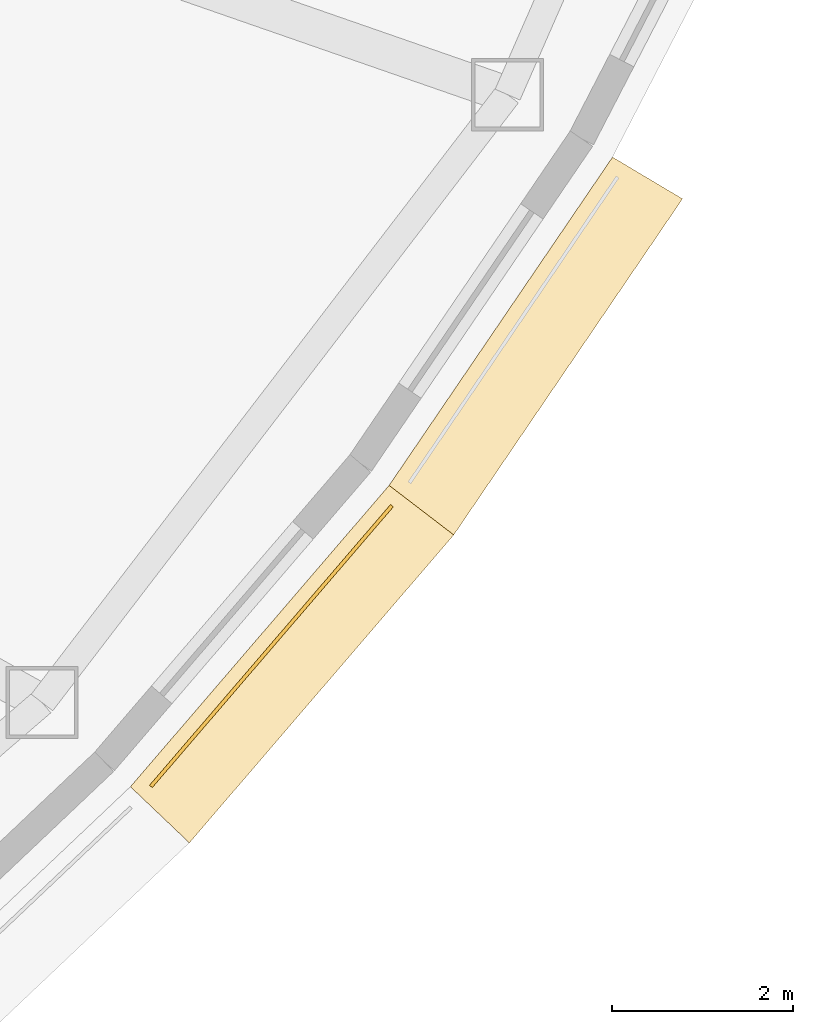
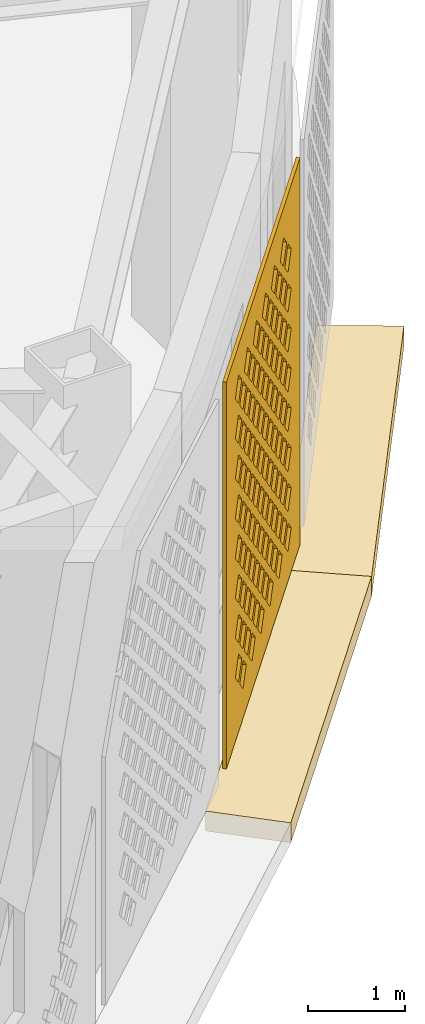
# One storey, part 60 of 63: 3 coverings.
"""IFC4 building model written with IfcOpenShell, lengths in metres."""

from ifc_helpers import new_model, si_unit, direction, frame, origin, place, context, subcontext, project, spatial, polyline, outline, extrude, material, layer, layer_set, type_object, element, save


model = new_model("IFC4")

# Units and contexts
model_context = context("Model", 3, precision=1e-05, world=origin(), true_north=direction((0.0, 1.0)))
body_context = subcontext(model_context, "Body", "Model", "MODEL_VIEW")
ifc_project = project(units=[si_unit("LENGTHUNIT", "METRE"), si_unit("AREAUNIT", "SQUARE_METRE"), si_unit("VOLUMEUNIT", "CUBIC_METRE"), si_unit("PLANEANGLEUNIT", "RADIAN"), si_unit("MASSUNIT", "GRAM", prefix="KILO")], contexts=[model_context])

# Site, building, storey
site_placement = place(None, origin())
site = spatial("IfcSite", under=ifc_project, at=site_placement, CompositionType="ELEMENT")
building_placement = place(site_placement, origin())
building = spatial("IfcBuilding", under=site, at=building_placement, Name="Noorbagh Ring Tower", CompositionType="ELEMENT")
storey_placement = place(building_placement, frame((0.0, 0.0, 25.0)))
storey = spatial("IfcBuildingStorey", under=building, at=storey_placement, Name="L04", CompositionType="ELEMENT", Elevation=25.0)

# Coverings
ifc_material_1 = material(Name="Red sandstone eave", Category="masonry")
covering_type_1 = type_object("IfcCoveringType", Name="STY-CHHAJJA", PredefinedType="USERDEFINED", material=ifc_material_1)
covering_1_placement = place(storey_placement, frame((0.0, 0.0, -0.25)))
element("IfcCovering", 1, at=covering_1_placement, inside=storey, type_object=covering_type_1, Name="Chhajja eave", ObjectType="CHHAJJA", PredefinedType="USERDEFINED", context=body_context, shape_type="SweptSolid", body=[
    extrude(outline(polyline([(41.906494140625, -23.682373046875), (44.77001953125, -20.346923828125), (45.485595703125, -20.89501953125), (42.55908203125, -24.3037109375), (41.906494140625, -23.682373046875)])), origin(), (0.0, 0.0, 1.0), 0.25),
])
covering_2_placement = place(storey_placement, frame((0.0, 0.0, -0.25)))
element("IfcCovering", 2, at=covering_2_placement, inside=storey, type_object=covering_type_1, Name="Chhajja eave", ObjectType="CHHAJJA", PredefinedType="USERDEFINED", context=body_context, shape_type="SweptSolid", body=[
    extrude(outline(polyline([(44.77001953125, -20.346923828125), (47.2431640625, -16.71337890625), (48.017578125, -17.175048828125), (45.485595703125, -20.89501953125), (44.77001953125, -20.346923828125)])), origin(), (0.0, 0.0, 1.0), 0.25),
])
ifc_material_2 = material(Name="Red sandstone jali", Category="masonry")
ifc_layer = layer(ifc_material_2, 0.0400390625)
ifc_layer_set = layer_set([ifc_layer], Name="Red sandstone jali")
covering_type_2 = type_object("IfcCoveringType", Name="STY-JALI", PredefinedType="USERDEFINED", material=ifc_layer_set)
covering_3_placement = place(storey_placement, frame((42.1484375, -23.692138671875, 0.449951171875), z_axis=(0.758717747284, -0.651419511495, 0.0), x_axis=(0.651419511495, 0.758717747284, 0.0)))
element("IfcCovering", 3, at=covering_3_placement, inside=storey, type_object=covering_type_2, Name="Jali screen", ObjectType="SCREEN", PredefinedType="USERDEFINED", context=body_context, shape_type="SweptSolid", body=[
    extrude(outline(polyline([(0.0, 0.0), (4.095703125, 0.0), (4.095703125, 4.85009765625), (0.0, 4.85009765625), (0.0, 0.0)]), holes=[polyline([(0.742919921875, 0.550048828125), (0.9228515625, 0.3701171875), (1.102783203125, 0.550048828125), (0.9228515625, 0.72998046875), (0.742919921875, 0.550048828125)]), polyline([(1.242919921875, 0.550048828125), (1.4228515625, 0.3701171875), (1.602783203125, 0.550048828125), (1.4228515625, 0.72998046875), (1.242919921875, 0.550048828125)]), polyline([(1.742919921875, 0.550048828125), (1.9228515625, 0.3701171875), (2.102783203125, 0.550048828125), (1.9228515625, 0.72998046875), (1.742919921875, 0.550048828125)]), polyline([(2.242919921875, 0.550048828125), (2.4228515625, 0.3701171875), (2.602783203125, 0.550048828125), (2.4228515625, 0.72998046875), (2.242919921875, 0.550048828125)]), polyline([(2.742919921875, 0.550048828125), (2.9228515625, 0.3701171875), (3.102783203125, 0.550048828125), (2.9228515625, 0.72998046875), (2.742919921875, 0.550048828125)]), polyline([(3.242919921875, 0.550048828125), (3.4228515625, 0.3701171875), (3.602783203125, 0.550048828125), (3.4228515625, 0.72998046875), (3.242919921875, 0.550048828125)]), polyline([(0.492919921875, 0.800048828125), (0.6728515625, 0.6201171875), (0.852783203125, 0.800048828125), (0.6728515625, 0.97998046875), (0.492919921875, 0.800048828125)]), polyline([(0.992919921875, 0.800048828125), (1.1728515625, 0.6201171875), (1.352783203125, 0.800048828125), (1.1728515625, 0.97998046875), (0.992919921875, 0.800048828125)]), polyline([(1.492919921875, 0.800048828125), (1.6728515625, 0.6201171875), (1.852783203125, 0.800048828125), (1.6728515625, 0.97998046875), (1.492919921875, 0.800048828125)]), polyline([(1.992919921875, 0.800048828125), (2.1728515625, 0.6201171875), (2.352783203125, 0.800048828125), (2.1728515625, 0.97998046875), (1.992919921875, 0.800048828125)]), polyline([(2.492919921875, 0.800048828125), (2.6728515625, 0.6201171875), (2.852783203125, 0.800048828125), (2.6728515625, 0.97998046875), (2.492919921875, 0.800048828125)]), polyline([(2.992919921875, 0.800048828125), (3.1728515625, 0.6201171875), (3.352783203125, 0.800048828125), (3.1728515625, 0.97998046875), (2.992919921875, 0.800048828125)]), polyline([(0.742919921875, 1.050048828125), (0.9228515625, 0.8701171875), (1.102783203125, 1.050048828125), (0.9228515625, 1.22998046875), (0.742919921875, 1.050048828125)]), polyline([(1.242919921875, 1.050048828125), (1.4228515625, 0.8701171875), (1.602783203125, 1.050048828125), (1.4228515625, 1.22998046875), (1.242919921875, 1.050048828125)]), polyline([(1.742919921875, 1.050048828125), (1.9228515625, 0.8701171875), (2.102783203125, 1.050048828125), (1.9228515625, 1.22998046875), (1.742919921875, 1.050048828125)]), polyline([(2.242919921875, 1.050048828125), (2.4228515625, 0.8701171875), (2.602783203125, 1.050048828125), (2.4228515625, 1.22998046875), (2.242919921875, 1.050048828125)]), polyline([(2.742919921875, 1.050048828125), (2.9228515625, 0.8701171875), (3.102783203125, 1.050048828125), (2.9228515625, 1.22998046875), (2.742919921875, 1.050048828125)]), polyline([(3.242919921875, 1.050048828125), (3.4228515625, 0.8701171875), (3.602783203125, 1.050048828125), (3.4228515625, 1.22998046875), (3.242919921875, 1.050048828125)]), polyline([(0.492919921875, 1.300048828125), (0.6728515625, 1.1201171875), (0.852783203125, 1.300048828125), (0.6728515625, 1.47998046875), (0.492919921875, 1.300048828125)]), polyline([(0.992919921875, 1.300048828125), (1.1728515625, 1.1201171875), (1.352783203125, 1.300048828125), (1.1728515625, 1.47998046875), (0.992919921875, 1.300048828125)]), polyline([(1.492919921875, 1.300048828125), (1.6728515625, 1.1201171875), (1.852783203125, 1.300048828125), (1.6728515625, 1.47998046875), (1.492919921875, 1.300048828125)]), polyline([(1.992919921875, 1.300048828125), (2.1728515625, 1.1201171875), (2.352783203125, 1.300048828125), (2.1728515625, 1.47998046875), (1.992919921875, 1.300048828125)]), polyline([(2.492919921875, 1.300048828125), (2.6728515625, 1.1201171875), (2.852783203125, 1.300048828125), (2.6728515625, 1.47998046875), (2.492919921875, 1.300048828125)]), polyline([(2.992919921875, 1.300048828125), (3.1728515625, 1.1201171875), (3.352783203125, 1.300048828125), (3.1728515625, 1.47998046875), (2.992919921875, 1.300048828125)]), polyline([(0.742919921875, 1.550048828125), (0.9228515625, 1.3701171875), (1.102783203125, 1.550048828125), (0.9228515625, 1.72998046875), (0.742919921875, 1.550048828125)]), polyline([(1.242919921875, 1.550048828125), (1.4228515625, 1.3701171875), (1.602783203125, 1.550048828125), (1.4228515625, 1.72998046875), (1.242919921875, 1.550048828125)]), polyline([(1.742919921875, 1.550048828125), (1.9228515625, 1.3701171875), (2.102783203125, 1.550048828125), (1.9228515625, 1.72998046875), (1.742919921875, 1.550048828125)]), polyline([(2.242919921875, 1.550048828125), (2.4228515625, 1.3701171875), (2.602783203125, 1.550048828125), (2.4228515625, 1.72998046875), (2.242919921875, 1.550048828125)]), polyline([(2.742919921875, 1.550048828125), (2.9228515625, 1.3701171875), (3.102783203125, 1.550048828125), (2.9228515625, 1.72998046875), (2.742919921875, 1.550048828125)]), polyline([(3.242919921875, 1.550048828125), (3.4228515625, 1.3701171875), (3.602783203125, 1.550048828125), (3.4228515625, 1.72998046875), (3.242919921875, 1.550048828125)]), polyline([(0.492919921875, 1.800048828125), (0.6728515625, 1.6201171875), (0.852783203125, 1.800048828125), (0.6728515625, 1.97998046875), (0.492919921875, 1.800048828125)]), polyline([(0.992919921875, 1.800048828125), (1.1728515625, 1.6201171875), (1.352783203125, 1.800048828125), (1.1728515625, 1.97998046875), (0.992919921875, 1.800048828125)]), polyline([(1.492919921875, 1.800048828125), (1.6728515625, 1.6201171875), (1.852783203125, 1.800048828125), (1.6728515625, 1.97998046875), (1.492919921875, 1.800048828125)]), polyline([(1.992919921875, 1.800048828125), (2.1728515625, 1.6201171875), (2.352783203125, 1.800048828125), (2.1728515625, 1.97998046875), (1.992919921875, 1.800048828125)]), polyline([(2.492919921875, 1.800048828125), (2.6728515625, 1.6201171875), (2.852783203125, 1.800048828125), (2.6728515625, 1.97998046875), (2.492919921875, 1.800048828125)]), polyline([(2.992919921875, 1.800048828125), (3.1728515625, 1.6201171875), (3.352783203125, 1.800048828125), (3.1728515625, 1.97998046875), (2.992919921875, 1.800048828125)]), polyline([(0.742919921875, 2.050048828125), (0.9228515625, 1.8701171875), (1.102783203125, 2.050048828125), (0.9228515625, 2.22998046875), (0.742919921875, 2.050048828125)]), polyline([(1.242919921875, 2.050048828125), (1.4228515625, 1.8701171875), (1.602783203125, 2.050048828125), (1.4228515625, 2.22998046875), (1.242919921875, 2.050048828125)]), polyline([(1.742919921875, 2.050048828125), (1.9228515625, 1.8701171875), (2.102783203125, 2.050048828125), (1.9228515625, 2.22998046875), (1.742919921875, 2.050048828125)]), polyline([(2.242919921875, 2.050048828125), (2.4228515625, 1.8701171875), (2.602783203125, 2.050048828125), (2.4228515625, 2.22998046875), (2.242919921875, 2.050048828125)]), polyline([(2.742919921875, 2.050048828125), (2.9228515625, 1.8701171875), (3.102783203125, 2.050048828125), (2.9228515625, 2.22998046875), (2.742919921875, 2.050048828125)]), polyline([(3.242919921875, 2.050048828125), (3.4228515625, 1.8701171875), (3.602783203125, 2.050048828125), (3.4228515625, 2.22998046875), (3.242919921875, 2.050048828125)]), polyline([(0.492919921875, 2.300048828125), (0.6728515625, 2.1201171875), (0.852783203125, 2.300048828125), (0.6728515625, 2.47998046875), (0.492919921875, 2.300048828125)]), polyline([(0.992919921875, 2.300048828125), (1.1728515625, 2.1201171875), (1.352783203125, 2.300048828125), (1.1728515625, 2.47998046875), (0.992919921875, 2.300048828125)]), polyline([(1.492919921875, 2.300048828125), (1.6728515625, 2.1201171875), (1.852783203125, 2.300048828125), (1.6728515625, 2.47998046875), (1.492919921875, 2.300048828125)]), polyline([(1.992919921875, 2.300048828125), (2.1728515625, 2.1201171875), (2.352783203125, 2.300048828125), (2.1728515625, 2.47998046875), (1.992919921875, 2.300048828125)]), polyline([(2.492919921875, 2.300048828125), (2.6728515625, 2.1201171875), (2.852783203125, 2.300048828125), (2.6728515625, 2.47998046875), (2.492919921875, 2.300048828125)]), polyline([(2.992919921875, 2.300048828125), (3.1728515625, 2.1201171875), (3.352783203125, 2.300048828125), (3.1728515625, 2.47998046875), (2.992919921875, 2.300048828125)]), polyline([(0.742919921875, 2.550048828125), (0.9228515625, 2.3701171875), (1.102783203125, 2.550048828125), (0.9228515625, 2.72998046875), (0.742919921875, 2.550048828125)]), polyline([(1.242919921875, 2.550048828125), (1.4228515625, 2.3701171875), (1.602783203125, 2.550048828125), (1.4228515625, 2.72998046875), (1.242919921875, 2.550048828125)]), polyline([(1.742919921875, 2.550048828125), (1.9228515625, 2.3701171875), (2.102783203125, 2.550048828125), (1.9228515625, 2.72998046875), (1.742919921875, 2.550048828125)]), polyline([(2.242919921875, 2.550048828125), (2.4228515625, 2.3701171875), (2.602783203125, 2.550048828125), (2.4228515625, 2.72998046875), (2.242919921875, 2.550048828125)]), polyline([(2.742919921875, 2.550048828125), (2.9228515625, 2.3701171875), (3.102783203125, 2.550048828125), (2.9228515625, 2.72998046875), (2.742919921875, 2.550048828125)]), polyline([(3.242919921875, 2.550048828125), (3.4228515625, 2.3701171875), (3.602783203125, 2.550048828125), (3.4228515625, 2.72998046875), (3.242919921875, 2.550048828125)]), polyline([(0.492919921875, 2.800048828125), (0.6728515625, 2.6201171875), (0.852783203125, 2.800048828125), (0.6728515625, 2.97998046875), (0.492919921875, 2.800048828125)]), polyline([(0.992919921875, 2.800048828125), (1.1728515625, 2.6201171875), (1.352783203125, 2.800048828125), (1.1728515625, 2.97998046875), (0.992919921875, 2.800048828125)]), polyline([(1.492919921875, 2.800048828125), (1.6728515625, 2.6201171875), (1.852783203125, 2.800048828125), (1.6728515625, 2.97998046875), (1.492919921875, 2.800048828125)]), polyline([(1.992919921875, 2.800048828125), (2.1728515625, 2.6201171875), (2.352783203125, 2.800048828125), (2.1728515625, 2.97998046875), (1.992919921875, 2.800048828125)]), polyline([(2.492919921875, 2.800048828125), (2.6728515625, 2.6201171875), (2.852783203125, 2.800048828125), (2.6728515625, 2.97998046875), (2.492919921875, 2.800048828125)]), polyline([(2.992919921875, 2.800048828125), (3.1728515625, 2.6201171875), (3.352783203125, 2.800048828125), (3.1728515625, 2.97998046875), (2.992919921875, 2.800048828125)]), polyline([(0.742919921875, 3.050048828125), (0.9228515625, 2.8701171875), (1.102783203125, 3.050048828125), (0.9228515625, 3.22998046875), (0.742919921875, 3.050048828125)]), polyline([(1.242919921875, 3.050048828125), (1.4228515625, 2.8701171875), (1.602783203125, 3.050048828125), (1.4228515625, 3.22998046875), (1.242919921875, 3.050048828125)]), polyline([(1.742919921875, 3.050048828125), (1.9228515625, 2.8701171875), (2.102783203125, 3.050048828125), (1.9228515625, 3.22998046875), (1.742919921875, 3.050048828125)]), polyline([(2.242919921875, 3.050048828125), (2.4228515625, 2.8701171875), (2.602783203125, 3.050048828125), (2.4228515625, 3.22998046875), (2.242919921875, 3.050048828125)]), polyline([(2.742919921875, 3.050048828125), (2.9228515625, 2.8701171875), (3.102783203125, 3.050048828125), (2.9228515625, 3.22998046875), (2.742919921875, 3.050048828125)]), polyline([(3.242919921875, 3.050048828125), (3.4228515625, 2.8701171875), (3.602783203125, 3.050048828125), (3.4228515625, 3.22998046875), (3.242919921875, 3.050048828125)]), polyline([(0.492919921875, 3.300048828125), (0.6728515625, 3.1201171875), (0.852783203125, 3.300048828125), (0.6728515625, 3.47998046875), (0.492919921875, 3.300048828125)]), polyline([(0.992919921875, 3.300048828125), (1.1728515625, 3.1201171875), (1.352783203125, 3.300048828125), (1.1728515625, 3.47998046875), (0.992919921875, 3.300048828125)]), polyline([(1.492919921875, 3.300048828125), (1.6728515625, 3.1201171875), (1.852783203125, 3.300048828125), (1.6728515625, 3.47998046875), (1.492919921875, 3.300048828125)]), polyline([(1.992919921875, 3.300048828125), (2.1728515625, 3.1201171875), (2.352783203125, 3.300048828125), (2.1728515625, 3.47998046875), (1.992919921875, 3.300048828125)]), polyline([(2.492919921875, 3.300048828125), (2.6728515625, 3.1201171875), (2.852783203125, 3.300048828125), (2.6728515625, 3.47998046875), (2.492919921875, 3.300048828125)]), polyline([(2.992919921875, 3.300048828125), (3.1728515625, 3.1201171875), (3.352783203125, 3.300048828125), (3.1728515625, 3.47998046875), (2.992919921875, 3.300048828125)]), polyline([(0.742919921875, 3.550048828125), (0.9228515625, 3.3701171875), (1.102783203125, 3.550048828125), (0.9228515625, 3.72998046875), (0.742919921875, 3.550048828125)]), polyline([(1.242919921875, 3.550048828125), (1.4228515625, 3.3701171875), (1.602783203125, 3.550048828125), (1.4228515625, 3.72998046875), (1.242919921875, 3.550048828125)]), polyline([(1.742919921875, 3.550048828125), (1.9228515625, 3.3701171875), (2.102783203125, 3.550048828125), (1.9228515625, 3.72998046875), (1.742919921875, 3.550048828125)]), polyline([(2.242919921875, 3.550048828125), (2.4228515625, 3.3701171875), (2.602783203125, 3.550048828125), (2.4228515625, 3.72998046875), (2.242919921875, 3.550048828125)]), polyline([(2.742919921875, 3.550048828125), (2.9228515625, 3.3701171875), (3.102783203125, 3.550048828125), (2.9228515625, 3.72998046875), (2.742919921875, 3.550048828125)]), polyline([(3.242919921875, 3.550048828125), (3.4228515625, 3.3701171875), (3.602783203125, 3.550048828125), (3.4228515625, 3.72998046875), (3.242919921875, 3.550048828125)]), polyline([(0.492919921875, 3.800048828125), (0.6728515625, 3.6201171875), (0.852783203125, 3.800048828125), (0.6728515625, 3.97998046875), (0.492919921875, 3.800048828125)]), polyline([(0.992919921875, 3.800048828125), (1.1728515625, 3.6201171875), (1.352783203125, 3.800048828125), (1.1728515625, 3.97998046875), (0.992919921875, 3.800048828125)]), polyline([(1.492919921875, 3.800048828125), (1.6728515625, 3.6201171875), (1.852783203125, 3.800048828125), (1.6728515625, 3.97998046875), (1.492919921875, 3.800048828125)]), polyline([(1.992919921875, 3.800048828125), (2.1728515625, 3.6201171875), (2.352783203125, 3.800048828125), (2.1728515625, 3.97998046875), (1.992919921875, 3.800048828125)]), polyline([(2.492919921875, 3.800048828125), (2.6728515625, 3.6201171875), (2.852783203125, 3.800048828125), (2.6728515625, 3.97998046875), (2.492919921875, 3.800048828125)]), polyline([(2.992919921875, 3.800048828125), (3.1728515625, 3.6201171875), (3.352783203125, 3.800048828125), (3.1728515625, 3.97998046875), (2.992919921875, 3.800048828125)]), polyline([(0.742919921875, 4.050048828125), (0.9228515625, 3.8701171875), (1.102783203125, 4.050048828125), (0.9228515625, 4.22998046875), (0.742919921875, 4.050048828125)]), polyline([(1.242919921875, 4.050048828125), (1.4228515625, 3.8701171875), (1.602783203125, 4.050048828125), (1.4228515625, 4.22998046875), (1.242919921875, 4.050048828125)]), polyline([(1.742919921875, 4.050048828125), (1.9228515625, 3.8701171875), (2.102783203125, 4.050048828125), (1.9228515625, 4.22998046875), (1.742919921875, 4.050048828125)]), polyline([(2.242919921875, 4.050048828125), (2.4228515625, 3.8701171875), (2.602783203125, 4.050048828125), (2.4228515625, 4.22998046875), (2.242919921875, 4.050048828125)]), polyline([(2.742919921875, 4.050048828125), (2.9228515625, 3.8701171875), (3.102783203125, 4.050048828125), (2.9228515625, 4.22998046875), (2.742919921875, 4.050048828125)]), polyline([(3.242919921875, 4.050048828125), (3.4228515625, 3.8701171875), (3.602783203125, 4.050048828125), (3.4228515625, 4.22998046875), (3.242919921875, 4.050048828125)]), polyline([(0.492919921875, 4.300048828125), (0.6728515625, 4.1201171875), (0.852783203125, 4.300048828125), (0.6728515625, 4.47998046875), (0.492919921875, 4.300048828125)]), polyline([(0.992919921875, 4.300048828125), (1.1728515625, 4.1201171875), (1.352783203125, 4.300048828125), (1.1728515625, 4.47998046875), (0.992919921875, 4.300048828125)]), polyline([(1.492919921875, 4.300048828125), (1.6728515625, 4.1201171875), (1.852783203125, 4.300048828125), (1.6728515625, 4.47998046875), (1.492919921875, 4.300048828125)]), polyline([(1.992919921875, 4.300048828125), (2.1728515625, 4.1201171875), (2.352783203125, 4.300048828125), (2.1728515625, 4.47998046875), (1.992919921875, 4.300048828125)]), polyline([(2.492919921875, 4.300048828125), (2.6728515625, 4.1201171875), (2.852783203125, 4.300048828125), (2.6728515625, 4.47998046875), (2.492919921875, 4.300048828125)]), polyline([(2.992919921875, 4.300048828125), (3.1728515625, 4.1201171875), (3.352783203125, 4.300048828125), (3.1728515625, 4.47998046875), (2.992919921875, 4.300048828125)])]), origin(), (0.0, 0.0, -1.0), 0.0400390625),
])

save(model, "model.ifc")
